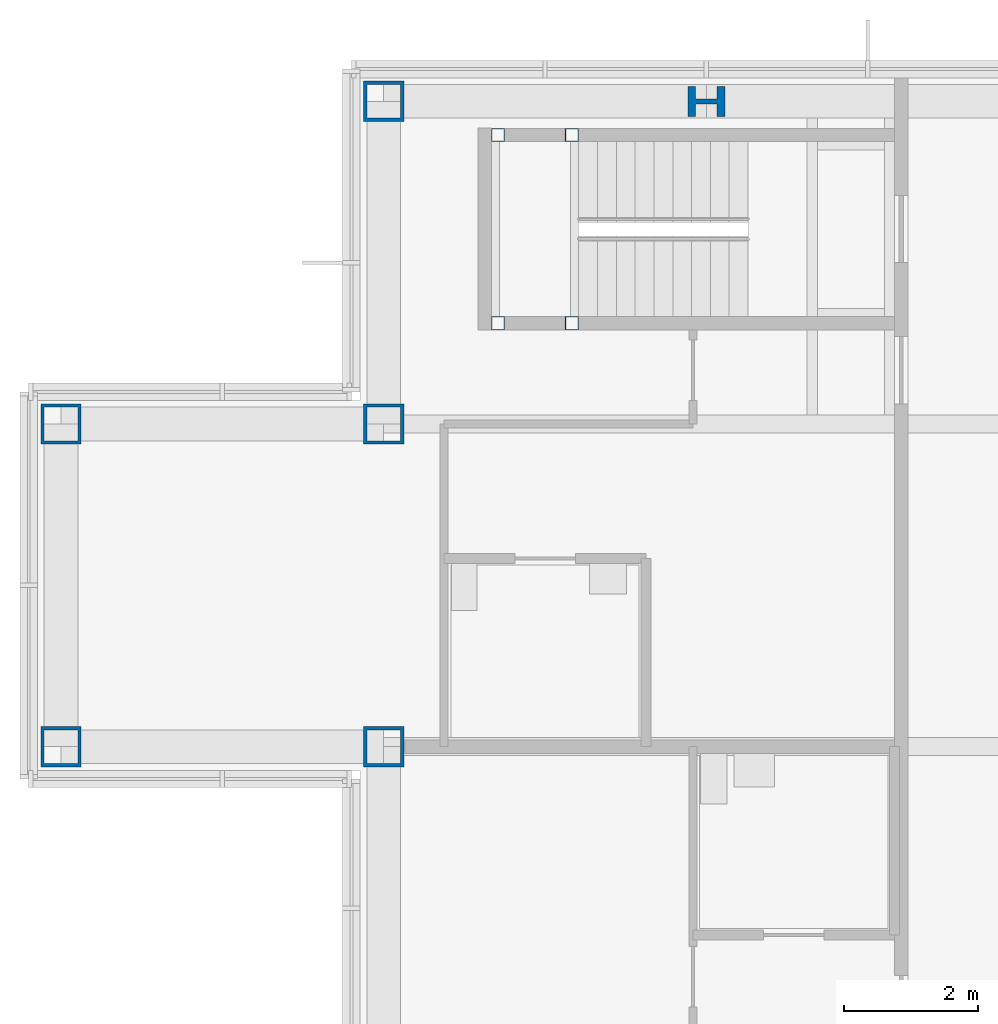
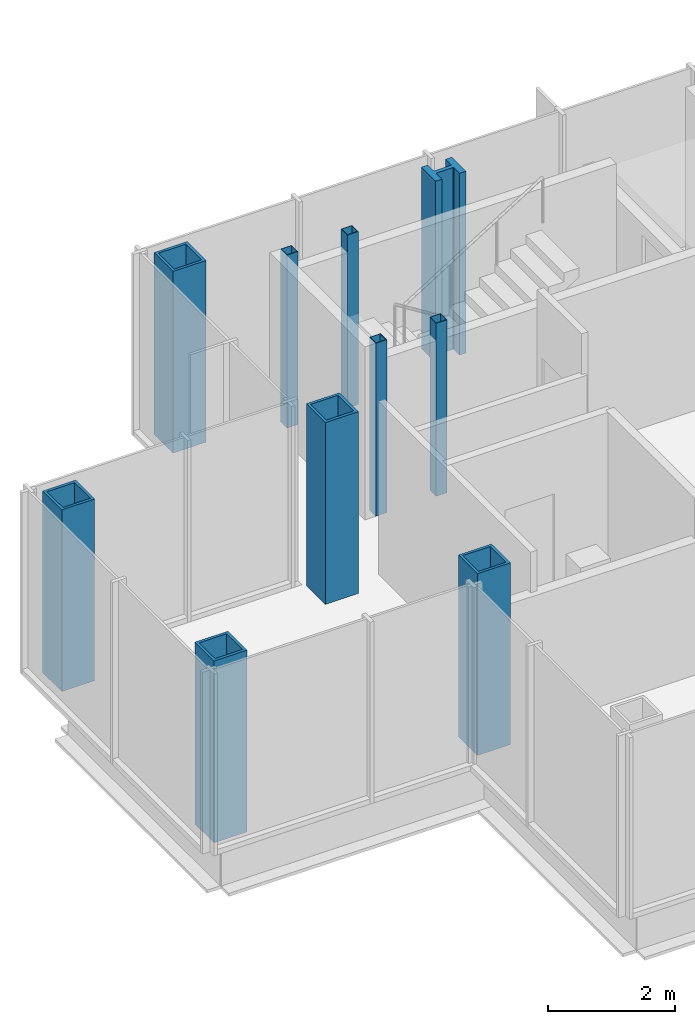
# One storey, part 3 of 15: 10 columns.
"""IFC4 building model written with IfcOpenShell, lengths in metres."""

from ifc_helpers import new_model, si_unit, direction, frame, origin, origin_2d, place, context, subcontext, project, spatial, hollow_rectangle, i_section, extrude, material, material_profile, profile_set, type_object, element, save


model = new_model("IFC4")

# Units and contexts
model_context = context("Model", 3, precision=1e-05, world=origin(), true_north=direction((0.0, 1.0)))
body_context = subcontext(model_context, "Body", "Model", "MODEL_VIEW")
ifc_project = project(units=[si_unit("LENGTHUNIT", "METRE"), si_unit("AREAUNIT", "SQUARE_METRE"), si_unit("VOLUMEUNIT", "CUBIC_METRE"), si_unit("PLANEANGLEUNIT", "RADIAN"), si_unit("MASSUNIT", "GRAM", prefix="KILO")], contexts=[model_context])

# Site, building, storey
site_placement = place(None, origin())
site = spatial("IfcSite", under=ifc_project, at=site_placement, CompositionType="ELEMENT")
building_placement = place(site_placement, origin())
building = spatial("IfcBuilding", under=site, at=building_placement, Name="Kvirike Care Tower", CompositionType="ELEMENT")
storey_placement = place(building_placement, frame((0.0, 0.0, 233.0)))
storey = spatial("IfcBuildingStorey", under=building, at=storey_placement, Name="L64", CompositionType="ELEMENT", Elevation=233.0)

# Columns
ifc_material_1 = material(Name="Steel S460", Category="steel")
ifc_material_profile_1 = material_profile(ifc_material_1, hollow_rectangle(XDim=0.60009765625, YDim=0.60009765625, WallThickness=0.050048828125, at=origin_2d()), Name="BX 600x600x50")
ifc_profile_set_1 = profile_set([ifc_material_profile_1], Name="Steel S460")
column_type_1 = type_object("IfcColumnType", Name="COLUMN BX 600x600x50", PredefinedType="COLUMN", material=ifc_profile_set_1)
for number, where, z_axis, x_axis, name in (
    (1, (0.0, 33.60009765625, 0.0), (0.0, 0.0, 1.0), (0.0, 1.0, 0.0), "Column H3 L64"),
    (2, (0.0, 38.39990234375, 0.0), (0.0, 0.0, 1.0), (0.0, 1.0, 0.0), "Column J3 L64"),
    (3, (4.800048828125, 33.60009765625, 0.0), (0.0, 0.0, 1.0), (0.0, 1.0, 0.0), "Column H4 L64"),
    (4, (4.800048828125, 38.39990234375, 0.0), (0.0, 0.0, 1.0), (0.0, 1.0, 0.0), "Column J4 L64"),
    (5, (4.800048828125, 43.199951171875, 0.0), (0.0, 0.0, 1.0), (0.0, 1.0, 0.0), "Column K4 L64"),
):
    element("IfcColumn", number, at=place(storey_placement, frame(where, z_axis=z_axis, x_axis=x_axis)), inside=storey, type_object=column_type_1, Name=name, PredefinedType="COLUMN", context=body_context, shape_type="SweptSolid", body=[
        extrude(hollow_rectangle(XDim=0.60009765625, YDim=0.60009765625, WallThickness=0.050048828125, at=origin_2d()), origin(), (0.0, 0.0, 1.0), 3.5),
    ])
ifc_material_2 = material(Name="Steel S460", Category="steel")
ifc_material_profile_2 = material_profile(ifc_material_2, i_section(OverallWidth=0.447998046875, OverallDepth=0.550048828125, WebThickness=0.072021484375, FlangeThickness=0.114990234375, FilletRadius=0.014892578125, at=origin_2d()), Name="HD 400x990")
ifc_profile_set_2 = profile_set([ifc_material_profile_2], Name="Steel S460")
column_type_2 = type_object("IfcColumnType", Name="COLUMN HD 400x990", PredefinedType="COLUMN", material=ifc_profile_set_2)
column_placement = place(storey_placement, frame((9.60009765625, 43.199951171875, 0.0), z_axis=(0.0, 0.0, 1.0), x_axis=(0.0, 1.0, 0.0)))
element("IfcColumn", 6, at=column_placement, inside=storey, type_object=column_type_2, Name="Column K5 L64", PredefinedType="COLUMN", context=body_context, shape_type="SweptSolid", body=[
    extrude(i_section(OverallWidth=0.447998046875, OverallDepth=0.550048828125, WebThickness=0.072021484375, FlangeThickness=0.114990234375, FilletRadius=0.014892578125, at=origin_2d()), origin(), (0.0, 0.0, 1.0), 3.5),
])
ifc_material_3 = material(Name="Steel S460", Category="steel")
ifc_material_profile_3 = material_profile(ifc_material_3, hollow_rectangle(XDim=0.199951171875, YDim=0.199951171875, WallThickness=0.008056640625, at=origin_2d()), Name="SHS 200x200x8")
ifc_profile_set_3 = profile_set([ifc_material_profile_3], Name="Steel S460")
column_type_3 = type_object("IfcColumnType", Name="STAIR POST SHS 200x200x8", PredefinedType="COLUMN", material=ifc_profile_set_3)
for number, where, z_axis, x_axis, name in (
    (7, (6.5, 42.699951171875, 0.0), (0.0, 0.0, 1.0), (1.0, 0.0, 0.0), "Stair 1 post 1 L64"),
    (8, (6.5, 39.89990234375, 0.0), (0.0, 0.0, 1.0), (1.0, 0.0, 0.0), "Stair 1 post 2 L64"),
    (9, (7.60009765625, 42.699951171875, 0.0), (0.0, 0.0, 1.0), (1.0, 0.0, 0.0), "Stair 1 post 3 L64"),
    (10, (7.60009765625, 39.89990234375, 0.0), (0.0, 0.0, 1.0), (1.0, 0.0, 0.0), "Stair 1 post 4 L64"),
):
    element("IfcColumn", number, at=place(storey_placement, frame(where, z_axis=z_axis, x_axis=x_axis)), inside=storey, type_object=column_type_3, Name=name, PredefinedType="COLUMN", context=body_context, shape_type="SweptSolid", body=[
        extrude(hollow_rectangle(XDim=0.199951171875, YDim=0.199951171875, WallThickness=0.008056640625, at=origin_2d()), origin(), (0.0, 0.0, 1.0), 3.330078125),
    ])

save(model, "model.ifc")
